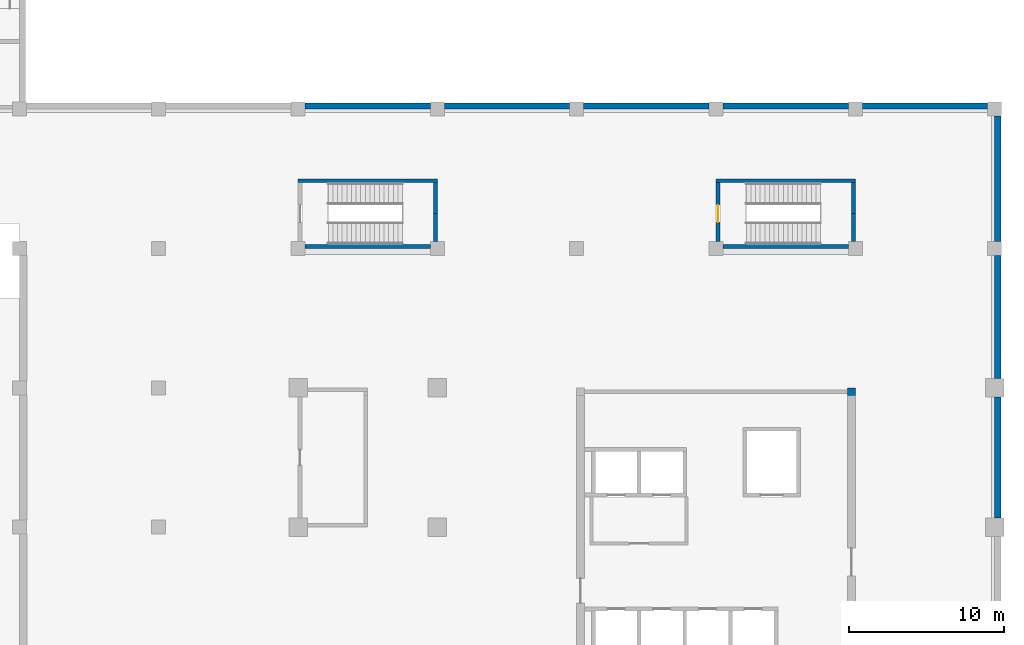
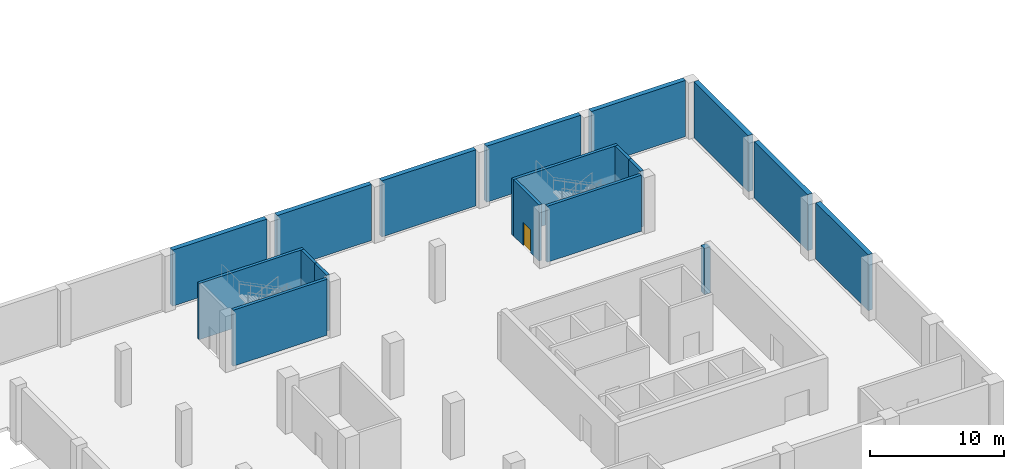
# One storey, part 12 of 16: 18 walls, 1 door, 1 opening.
"""IFC4 building model written with IfcOpenShell, lengths in metres."""

from ifc_helpers import new_model, si_unit, direction, frame, frame_2d, origin, place, context, subcontext, project, spatial, rectangle, extrude, material, layer, layer_set, type_object, element, fill, save


model = new_model("IFC4")

# Units and contexts
model_context = context("Model", 3, precision=1e-05, world=origin(), true_north=direction((0.0, 1.0)))
body_context = subcontext(model_context, "Body", "Model", "MODEL_VIEW")
ifc_project = project(units=[si_unit("LENGTHUNIT", "METRE"), si_unit("AREAUNIT", "SQUARE_METRE"), si_unit("VOLUMEUNIT", "CUBIC_METRE"), si_unit("PLANEANGLEUNIT", "RADIAN"), si_unit("MASSUNIT", "GRAM", prefix="KILO")], contexts=[model_context])

# Site, building, storey
site_placement = place(None, origin())
site = spatial("IfcSite", under=ifc_project, at=site_placement, CompositionType="ELEMENT")
building_placement = place(site_placement, origin())
building = spatial("IfcBuilding", under=site, at=building_placement, Name="Guidao Yard Department Store", CompositionType="ELEMENT")
storey_placement = place(building_placement, frame((0.0, 0.0, -5.10009765625)))
storey = spatial("IfcBuildingStorey", under=building, at=storey_placement, Name="B1", CompositionType="ELEMENT", Elevation=-5.10009765625)

# Walls
ifc_material_1 = material(Name="Concrete C40", Category="concrete")
ifc_layer_1 = layer(ifc_material_1, 0.39990234375)
ifc_layer_set_1 = layer_set([ifc_layer_1], Name="Retaining wall 400 C40")
wall_type_1 = type_object("IfcWallType", Name="Retaining wall 400 C40", PredefinedType="SOLIDWALL", material=ifc_layer_set_1)
wall_1_placement = place(storey_placement, frame((171.199951171875, 18.60009765625, 0.0), z_axis=(0.0, 0.0, 1.0), x_axis=(0.0, 1.0, 0.0)))
element("IfcWall", 1, at=wall_1_placement, inside=storey, type_object=wall_type_1, Name="Retaining wall B1-013", PredefinedType="SOLIDWALL", context=body_context, shape_type="SweptSolid", body=[
    extrude(rectangle(XDim=7.7998046875, YDim=0.39990234375, at=frame_2d((3.89990234375, 0.0))), origin(), (0.0, 0.0, 1.0), 5.10009765625),
])
wall_2_placement = place(storey_placement, frame((171.199951171875, 27.60009765625, 0.0), z_axis=(0.0, 0.0, 1.0), x_axis=(0.0, 1.0, 0.0)))
element("IfcWall", 2, at=wall_2_placement, inside=storey, type_object=wall_type_1, Name="Retaining wall B1-015", PredefinedType="SOLIDWALL", context=body_context, shape_type="SweptSolid", body=[
    extrude(rectangle(XDim=7.949951171875, YDim=0.39990234375, at=frame_2d((3.97509765625, 0.0))), origin(), (0.0, 0.0, 1.0), 5.10009765625),
])
for number, where, z_axis, x_axis, name in (
    (3, (171.199951171875, 36.449951171875, 0.0), (0.0, 0.0, 1.0), (0.0, 1.0, 0.0), "Retaining wall B1-017"),
    (4, (126.449951171875, 45.199951171875, 0.0), (0.0, 0.0, 1.0), (1.0, 0.0, 0.0), "Retaining wall B1-031"),
    (5, (135.449951171875, 45.199951171875, 0.0), (0.0, 0.0, 1.0), (1.0, 0.0, 0.0), "Retaining wall B1-032"),
    (6, (144.449951171875, 45.199951171875, 0.0), (0.0, 0.0, 1.0), (1.0, 0.0, 0.0), "Retaining wall B1-033"),
    (7, (153.449951171875, 45.199951171875, 0.0), (0.0, 0.0, 1.0), (1.0, 0.0, 0.0), "Retaining wall B1-034"),
    (8, (162.449951171875, 45.199951171875, 0.0), (0.0, 0.0, 1.0), (1.0, 0.0, 0.0), "Retaining wall B1-035"),
):
    element("IfcWall", number, at=place(storey_placement, frame(where, z_axis=z_axis, x_axis=x_axis)), inside=storey, type_object=wall_type_1, Name=name, PredefinedType="SOLIDWALL", context=body_context, shape_type="SweptSolid", body=[
        extrude(rectangle(XDim=8.10009765625, YDim=0.39990234375, at=frame_2d((4.050048828125, 0.0))), origin(), (0.0, 0.0, 1.0), 5.10009765625),
    ])
ifc_material_2 = material(Name="Concrete C60", Category="concrete")
ifc_layer_2 = layer(ifc_material_2, 0.5)
ifc_layer_set_2 = layer_set([ifc_layer_2], Name="Shear Wall 500 Concrete C60")
wall_type_2 = type_object("IfcWallType", Name="Shear Wall 500 Concrete C60", PredefinedType="SHEAR", material=ifc_layer_set_2)
wall_3_placement = place(storey_placement, frame((161.75, 26.5, 0.0), z_axis=(0.0, 0.0, 1.0), x_axis=(0.0, 1.0, 0.0)))
element("IfcWall", 9, at=wall_3_placement, inside=storey, type_object=wall_type_2, Name="pt.wall.B1.0075a", PredefinedType="SHEAR", context=body_context, shape_type="SweptSolid", body=[
    extrude(rectangle(XDim=0.5, YDim=0.5, at=frame_2d((0.25, 0.0))), origin(), (0.0, 0.0, 1.0), 4.2001953125),
])
ifc_material_3 = material(Name="Concrete C40", Category="concrete")
ifc_layer_3 = layer(ifc_material_3, 0.25)
ifc_layer_set_3 = layer_set([ifc_layer_3], Name="Wall RC 250 C40 stair and shaft")
wall_type_3 = type_object("IfcWallType", Name="Wall RC 250 C40 stair and shaft", PredefinedType="SHEAR", material=ifc_layer_set_3)
wall_4_placement = place(storey_placement, frame((126.449951171875, 36.125, 0.0), z_axis=(0.0, 0.0, 1.0), x_axis=(1.0, 0.0, 0.0)))
element("IfcWall", 10, at=wall_4_placement, inside=storey, type_object=wall_type_3, Name="Stair wall BSY1", PredefinedType="SHEAR", context=body_context, shape_type="SweptSolid", body=[
    extrude(rectangle(XDim=8.10009765625, YDim=0.25, at=frame_2d((4.050048828125, 0.0))), origin(), (0.0, 0.0, 1.0), 5.10009765625),
])
wall_5_placement = place(storey_placement, frame((126.0, 40.375, 0.0), z_axis=(0.0, 0.0, 1.0), x_axis=(1.0, 0.0, 0.0)))
element("IfcWall", 11, at=wall_5_placement, inside=storey, type_object=wall_type_3, Name="Stair wall BSY1", PredefinedType="SHEAR", context=body_context, shape_type="SweptSolid", body=[
    extrude(rectangle(XDim=9.0, YDim=0.25, at=frame_2d((4.5, 0.0))), origin(), (0.0, 0.0, 1.0), 5.10009765625),
])
wall_6_placement = place(storey_placement, frame((134.875, 36.449951171875, 0.0), z_axis=(0.0, 0.0, 1.0), x_axis=(0.0, 1.0, 0.0)))
element("IfcWall", 12, at=wall_6_placement, inside=storey, type_object=wall_type_3, Name="Stair wall BSY1", PredefinedType="SHEAR", context=body_context, shape_type="SweptSolid", body=[
    extrude(rectangle(XDim=1.800048828125, YDim=0.25, at=frame_2d((0.89990234375, 0.0))), origin(), (0.0, 0.0, 1.0), 5.10009765625),
])
wall_7_placement = place(storey_placement, frame((134.875, 38.25, 0.0), z_axis=(0.0, 0.0, 1.0), x_axis=(0.0, 1.0, 0.0)))
element("IfcWall", 13, at=wall_7_placement, inside=storey, type_object=wall_type_3, Name="Stair wall BSY1", PredefinedType="SHEAR", context=body_context, shape_type="SweptSolid", body=[
    extrude(rectangle(XDim=2.0, YDim=0.25, at=frame_2d((1.0, 0.0))), origin(), (0.0, 0.0, 1.0), 5.10009765625),
])
wall_8_placement = place(storey_placement, frame((153.449951171875, 36.125, 0.0), z_axis=(0.0, 0.0, 1.0), x_axis=(1.0, 0.0, 0.0)))
element("IfcWall", 14, at=wall_8_placement, inside=storey, type_object=wall_type_3, Name="Stair wall BSY2", PredefinedType="SHEAR", context=body_context, shape_type="SweptSolid", body=[
    extrude(rectangle(XDim=8.10009765625, YDim=0.25, at=frame_2d((4.050048828125, 0.0))), origin(), (0.0, 0.0, 1.0), 5.10009765625),
])
wall_9_placement = place(storey_placement, frame((153.0, 40.375, 0.0), z_axis=(0.0, 0.0, 1.0), x_axis=(1.0, 0.0, 0.0)))
element("IfcWall", 15, at=wall_9_placement, inside=storey, type_object=wall_type_3, Name="Stair wall BSY2", PredefinedType="SHEAR", context=body_context, shape_type="SweptSolid", body=[
    extrude(rectangle(XDim=9.0, YDim=0.25, at=frame_2d((4.5, 0.0))), origin(), (0.0, 0.0, 1.0), 5.10009765625),
])

# Wall, opening, door
wall_10_placement = place(storey_placement, frame((153.125, 36.449951171875, 0.0), z_axis=(0.0, 0.0, 1.0), x_axis=(0.0, 1.0, 0.0)))
wall_10 = element("IfcWall", 16, at=wall_10_placement, inside=storey, type_object=wall_type_3, Name="Stair wall BSY2", PredefinedType="SHEAR", context=body_context, shape_type="SweptSolid", body=[
    extrude(rectangle(XDim=3.800048828125, YDim=0.25, at=frame_2d((1.89990234375, 0.0))), origin(), (0.0, 0.0, 1.0), 5.10009765625),
])
opening_placement = place(wall_10_placement, frame((2.35009765625, 0.0, 0.0), z_axis=(0.0, 0.0, 1.0), x_axis=(-1.0, 0.0, 0.0)))
opening = element("IfcOpeningElement", 17, at=opening_placement, cuts=wall_10, Name="Opening B1-807", PredefinedType="OPENING", context=body_context, shape_type="SweptSolid", body=[
    extrude(rectangle(XDim=1.10009765625, YDim=2.10009765625, at=frame_2d((0.550048828125, 1.050048828125))), frame((0.0, 0.135009765625, 0.0), z_axis=(0.0, -1.0, 0.0), x_axis=(1.0, 0.0, 0.0)), (0.0, 0.0, 1.0), 0.27001953125),
])
ifc_material_4 = material(Name="Steel Q235", Category="steel")
door_type = type_object("IfcDoorType", Name="Door fire-resisting 1100 x 2100 FD60", OperationType="SINGLE_SWING_LEFT", PredefinedType="DOOR", material=ifc_material_4)
door_placement = place(opening_placement, origin())
door = element("IfcDoor", 18, at=door_placement, inside=storey, type_object=door_type, Name="Basement stair Y2 door B1", OperationType="SINGLE_SWING_RIGHT", OverallHeight=2.10009765625, OverallWidth=1.10009765625, PredefinedType="DOOR", context=body_context, shape_type="SweptSolid", body=[
    extrude(rectangle(XDim=1.10009765625, YDim=2.10009765625, at=frame_2d((0.550048828125, 1.050048828125))), frame((0.0, 0.02490234375, 0.0), z_axis=(0.0, -1.0, 0.0), x_axis=(1.0, 0.0, 0.0)), (0.0, 0.0, 1.0), 0.050048828125),
])
fill(opening, door)

# Walls
wall_11_placement = place(storey_placement, frame((161.875, 36.449951171875, 0.0), z_axis=(0.0, 0.0, 1.0), x_axis=(0.0, 1.0, 0.0)))
element("IfcWall", 19, at=wall_11_placement, inside=storey, type_object=wall_type_3, Name="Stair wall BSY2", PredefinedType="SHEAR", context=body_context, shape_type="SweptSolid", body=[
    extrude(rectangle(XDim=1.800048828125, YDim=0.25, at=frame_2d((0.89990234375, 0.0))), origin(), (0.0, 0.0, 1.0), 5.10009765625),
])
wall_12_placement = place(storey_placement, frame((161.875, 38.25, 0.0), z_axis=(0.0, 0.0, 1.0), x_axis=(0.0, 1.0, 0.0)))
element("IfcWall", 20, at=wall_12_placement, inside=storey, type_object=wall_type_3, Name="Stair wall BSY2", PredefinedType="SHEAR", context=body_context, shape_type="SweptSolid", body=[
    extrude(rectangle(XDim=2.0, YDim=0.25, at=frame_2d((1.0, 0.0))), origin(), (0.0, 0.0, 1.0), 5.10009765625),
])

save(model, "model.ifc")
